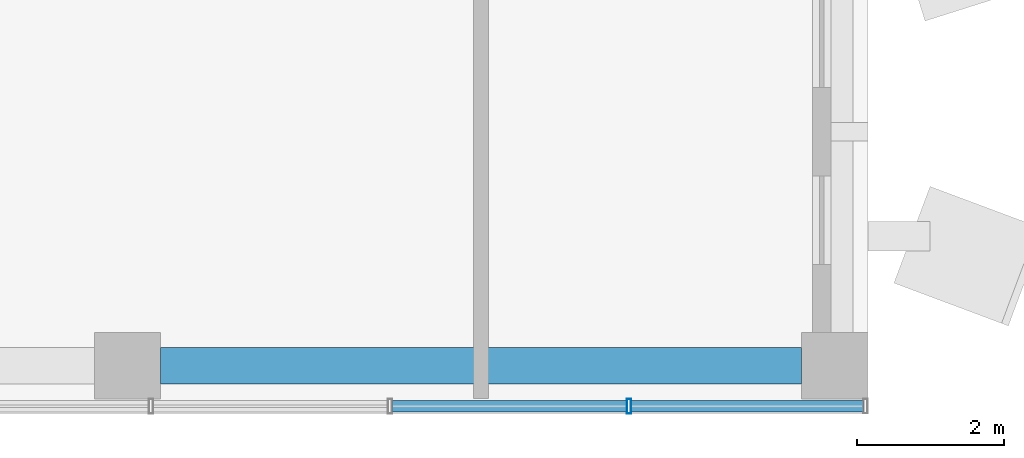
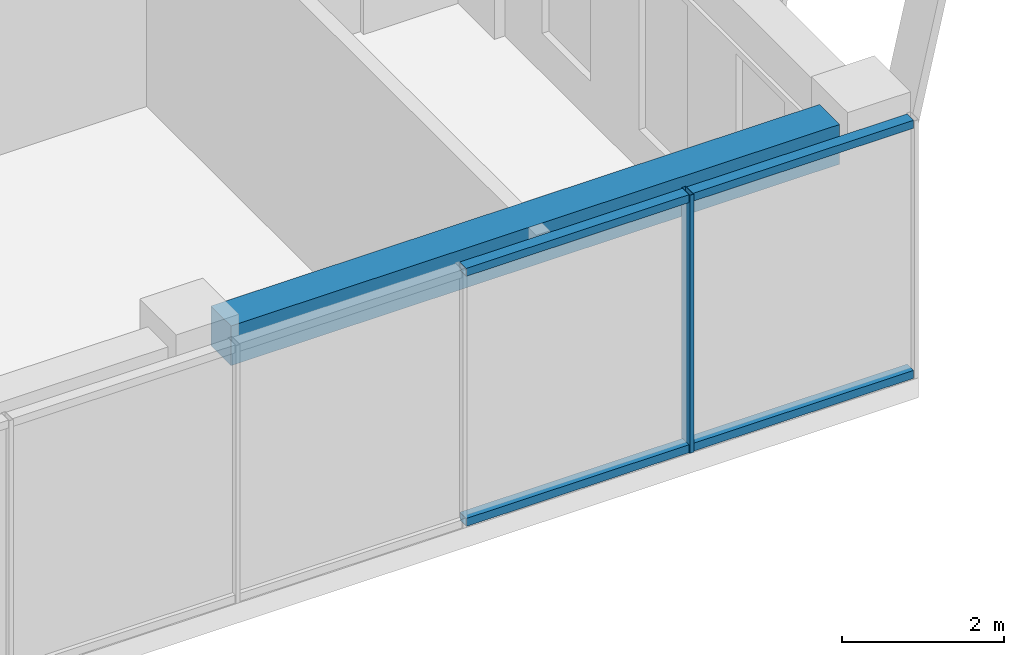
# One storey, part 13 of 38: 5 members, 1 beam, 1 element without a shape of its own.
"""IFC4 building model written with IfcOpenShell, lengths in metres."""

from ifc_helpers import new_model, si_unit, direction, frame, origin, origin_2d, place, context, subcontext, project, spatial, rectangle, hollow_rectangle, extrude, material, layer, layer_set, material_profile, profile_set, type_object, element, aggregate, save


model = new_model("IFC4")

# Units and contexts
model_context = context("Model", 3, precision=1e-05, world=origin(), true_north=direction((0.0, 1.0)))
body_context = subcontext(model_context, "Body", "Model", "MODEL_VIEW")
ifc_project = project(units=[si_unit("LENGTHUNIT", "METRE"), si_unit("AREAUNIT", "SQUARE_METRE"), si_unit("VOLUMEUNIT", "CUBIC_METRE"), si_unit("PLANEANGLEUNIT", "RADIAN"), si_unit("MASSUNIT", "GRAM", prefix="KILO")], contexts=[model_context])

# Site, building, storey
site_placement = place(None, origin())
site = spatial("IfcSite", under=ifc_project, at=site_placement, CompositionType="ELEMENT")
building_placement = place(site_placement, origin())
building = spatial("IfcBuilding", under=site, at=building_placement, Name="Nzadi Deep Aquarium and Research Tower", CompositionType="ELEMENT")
storey_placement = place(building_placement, frame((0.0, 0.0, 48.699951171875)))
storey = spatial("IfcBuildingStorey", under=building, at=storey_placement, Name="L09", CompositionType="ELEMENT", Elevation=48.699951171875)

# Curtain wall, member
ifc_material_1 = material(Name="Aluminium unitised frame", Category="aluminium")
ifc_layer = layer(ifc_material_1, 0.199951171875)
ifc_layer_set = layer_set([ifc_layer], Name="Aluminium unitised frame")
curtain_wall_type = type_object("IfcCurtainWallType", Name="Curtain wall Unitised 200", PredefinedType="NOTDEFINED", material=ifc_layer_set)
curtain_wall_placement = place(storey_placement, origin())
curtain_wall = element("IfcCurtainWall", 1, at=curtain_wall_placement, inside=storey, type_object=curtain_wall_type, Name="Unitised curtain wall blade A south L09", PredefinedType="NOTDEFINED")
ifc_material_2 = material(Name="Aluminium unitised frame", Category="aluminium")
ifc_material_profile_1 = material_profile(ifc_material_2, hollow_rectangle(XDim=0.199951171875, YDim=0.06005859375, WallThickness=0.0048828125, at=origin_2d()))
ifc_profile_set_1 = profile_set([ifc_material_profile_1], Name="Aluminium unitised frame")
member_type_1 = type_object("IfcMemberType", Name="Mullion 60x200 Unitised", PredefinedType="MULLION", material=ifc_profile_set_1)
member_1_placement = place(storey_placement, frame((45.206787109375, -0.10009765625, 0.0), z_axis=(0.0, 0.0, 1.0), x_axis=(0.0, 1.0, 0.0)))
member_1 = element("IfcMember", 2, at=member_1_placement, type_object=member_type_1, Name="CW029 mullion 15", PredefinedType="MULLION", context=body_context, shape_type="SweptSolid", body=[
    extrude(hollow_rectangle(XDim=0.199951171875, YDim=0.06005859375, WallThickness=0.0048828125, at=origin_2d()), origin(), (0.0, 0.0, 1.0), 3.900146484375),
])

# Beam
ifc_material_3 = material(Name="Concrete C35/45", Category="concrete")
ifc_material_profile_2 = material_profile(ifc_material_3, rectangle(XDim=0.5, YDim=0.60009765625, at=origin_2d()))
ifc_profile_set_2 = profile_set([ifc_material_profile_2], Name="Concrete C35/45")
beam_type = type_object("IfcBeamType", Name="RC 500x600", PredefinedType="BEAM", material=ifc_profile_set_2)
beam_placement = place(storey_placement, frame((38.85009765625, 0.449951171875, 3.60009765625), z_axis=(1.0, 0.0, 0.0), x_axis=(0.0, 1.0, 0.0)))
element("IfcBeam", 3, at=beam_placement, inside=storey, type_object=beam_type, Name="B-Z1-L09-L1-5", PredefinedType="BEAM", context=body_context, shape_type="SweptSolid", body=[
    extrude(rectangle(XDim=0.5, YDim=0.60009765625, at=origin_2d()), origin(), (0.0, 0.0, 1.0), 8.699951171875),
])

# Member
ifc_material_4 = material(Name="Aluminium unitised frame", Category="aluminium")
ifc_material_profile_3 = material_profile(ifc_material_4, hollow_rectangle(XDim=0.159912109375, YDim=0.1201171875, WallThickness=0.0048828125, at=origin_2d()))
ifc_profile_set_3 = profile_set([ifc_material_profile_3], Name="Aluminium unitised frame")
member_type_2 = type_object("IfcMemberType", Name="Transom 120x160 Unitised", PredefinedType="MULLION", material=ifc_profile_set_3)
member_2_placement = place(storey_placement, frame((41.993408203125, -0.10009765625, 0.06005859375), z_axis=(1.0, 0.0, 0.0), x_axis=(0.0, 1.0, 0.0)))
member_2 = element("IfcMember", 4, at=member_2_placement, type_object=member_type_2, Name="CW029 transom 14.1", PredefinedType="MULLION", context=body_context, shape_type="SweptSolid", body=[
    extrude(hollow_rectangle(XDim=0.159912109375, YDim=0.1201171875, WallThickness=0.0048828125, at=origin_2d()), origin(), (0.0, 0.0, 1.0), 3.183349609375),
])

member_3_placement = place(storey_placement, frame((41.993408203125, -0.10009765625, 3.840087890625), z_axis=(1.0, 0.0, 0.0), x_axis=(0.0, 1.0, 0.0)))
member_3 = element("IfcMember", 5, at=member_3_placement, type_object=member_type_2, Name="CW029 transom 14.2", PredefinedType="MULLION", context=body_context, shape_type="SweptSolid", body=[
    extrude(hollow_rectangle(XDim=0.159912109375, YDim=0.1201171875, WallThickness=0.0048828125, at=origin_2d()), origin(), (0.0, 0.0, 1.0), 3.183349609375),
])

member_4_placement = place(storey_placement, frame((45.236572265625, -0.10009765625, 0.06005859375), z_axis=(1.0, 0.0, 0.0), x_axis=(0.0, 1.0, 0.0)))
member_4 = element("IfcMember", 6, at=member_4_placement, type_object=member_type_2, Name="CW029 transom 15.1", PredefinedType="MULLION", context=body_context, shape_type="SweptSolid", body=[
    extrude(hollow_rectangle(XDim=0.159912109375, YDim=0.1201171875, WallThickness=0.0048828125, at=origin_2d()), origin(), (0.0, 0.0, 1.0), 3.1533203125),
])

member_5_placement = place(storey_placement, frame((45.236572265625, -0.10009765625, 3.840087890625), z_axis=(1.0, 0.0, 0.0), x_axis=(0.0, 1.0, 0.0)))
member_5 = element("IfcMember", 7, at=member_5_placement, type_object=member_type_2, Name="CW029 transom 15.2", PredefinedType="MULLION", context=body_context, shape_type="SweptSolid", body=[
    extrude(hollow_rectangle(XDim=0.159912109375, YDim=0.1201171875, WallThickness=0.0048828125, at=origin_2d()), origin(), (0.0, 0.0, 1.0), 3.1533203125),
])

aggregate(curtain_wall, [member_1, member_2, member_3, member_4, member_5])

save(model, "model.ifc")
